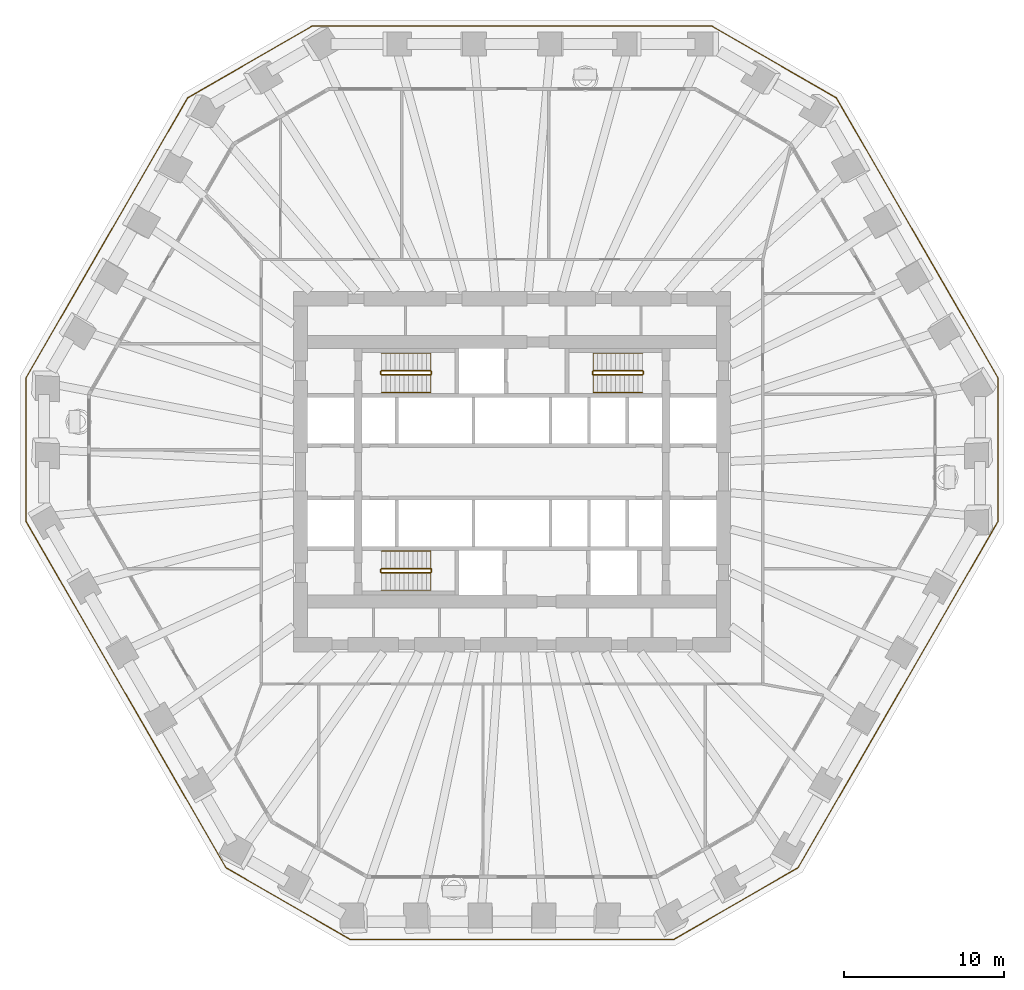
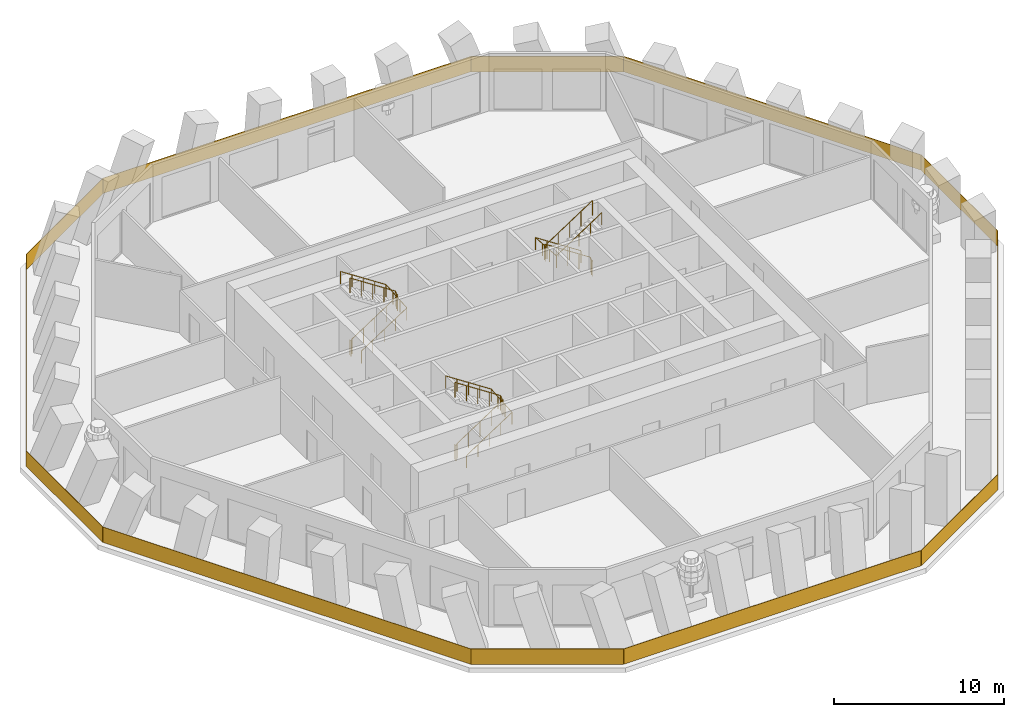
# One storey, part 9 of 11: 7 railings.
"""IFC4 building model written with IfcOpenShell, lengths in metres."""

from ifc_helpers import new_model, si_unit, direction, frame, origin, origin_2d, place, context, subcontext, project, spatial, rectangle, circle, extrude, material, type_object, element, save


model = new_model("IFC4")

# Units and contexts
model_context = context("Model", 3, precision=1e-05, world=origin(), true_north=direction((0.0, 1.0)))
body_context = subcontext(model_context, "Body", "Model", "MODEL_VIEW")
ifc_project = project(units=[si_unit("LENGTHUNIT", "METRE"), si_unit("AREAUNIT", "SQUARE_METRE"), si_unit("VOLUMEUNIT", "CUBIC_METRE"), si_unit("PLANEANGLEUNIT", "RADIAN"), si_unit("MASSUNIT", "GRAM", prefix="KILO")], contexts=[model_context])

# Site, building, storey
site_placement = place(None, origin())
site = spatial("IfcSite", under=ifc_project, at=site_placement, CompositionType="ELEMENT")
building_placement = place(site_placement, origin())
building = spatial("IfcBuilding", under=site, at=building_placement, Name="Frailejon Research Tower", CompositionType="ELEMENT")
storey_placement = place(building_placement, frame((0.0, 0.0, 67.39990234375)))
storey = spatial("IfcBuildingStorey", under=building, at=storey_placement, Name="L15", CompositionType="ELEMENT", Elevation=67.39990234375)

# Railings
ifc_material_1 = material(Name="Laminated glass balustrade", Category="glass")
railing_type_1 = type_object("IfcRailingType", Name="Glass guard 1100", PredefinedType="GUARDRAIL", material=ifc_material_1)
railing_1_placement = place(storey_placement, frame((30.331787109375, -3.10498046875, 0.0)))
element("IfcRailing", 1, at=railing_1_placement, inside=storey, type_object=railing_type_1, Name="Loggia guard L15", PredefinedType="GUARDRAIL", context=body_context, shape_type="SweptSolid", body=[
    extrude(rectangle(XDim=8.9755859375, YDim=0.030029296875, at=origin_2d()), frame((0.0, 4.48779296875, 0.0), z_axis=(0.0, 0.0, 1.0), x_axis=(0.0, 1.0, 0.0)), (0.0, 0.0, 1.0), 1.10009765625),
    extrude(rectangle(XDim=20.163818359375, YDim=0.030029296875, at=origin_2d()), frame((-5.041015625, 17.706787109375, 0.0), z_axis=(0.0, 0.0, 1.0), x_axis=(-0.499994956871, 0.866028315417, 0.0)), (0.0, 0.0, 1.0), 1.10009765625),
    extrude(rectangle(XDim=8.9755859375, YDim=0.030029296875, at=origin_2d()), frame((-13.96826171875, 28.681884765625, 0.0), z_axis=(0.0, 0.0, 1.0), x_axis=(-0.866028409771, 0.499994793442, 0.0)), (0.0, 0.0, 1.0), 1.10009765625),
    extrude(rectangle(XDim=24.95361328125, YDim=0.030029296875, at=origin_2d()), frame((-30.331787109375, 30.92578125, 0.0), z_axis=(0.0, 0.0, 1.0), x_axis=(-1.0, 0.0, 0.0)), (0.0, 0.0, 1.0), 1.10009765625),
    extrude(rectangle(XDim=8.9755859375, YDim=0.030029296875, at=origin_2d()), frame((-46.6953125, 28.681884765625, 0.0), z_axis=(0.0, 0.0, 1.0), x_axis=(-0.866028409771, -0.499994793442, 0.0)), (0.0, 0.0, 1.0), 1.10009765625),
    extrude(rectangle(XDim=20.163818359375, YDim=0.030029296875, at=origin_2d()), frame((-55.62255859375, 17.706787109375, 0.0), z_axis=(0.0, 0.0, 1.0), x_axis=(-0.499994956871, -0.866028315417, 0.0)), (0.0, 0.0, 1.0), 1.10009765625),
    extrude(rectangle(XDim=8.9755859375, YDim=0.030029296875, at=origin_2d()), frame((-60.66357421875, 4.48779296875, 0.0), z_axis=(0.0, 0.0, 1.0), x_axis=(0.0, -1.0, 0.0)), (0.0, 0.0, 1.0), 1.10009765625),
    extrude(rectangle(XDim=24.953857421875, YDim=0.030029296875, at=origin_2d()), frame((-54.42529296875, -10.805419921875, 0.0), z_axis=(0.0, 0.0, 1.0), x_axis=(0.499993461121, -0.866029178975, 0.0)), (0.0, 0.0, 1.0), 1.10009765625),
    extrude(rectangle(XDim=8.9755859375, YDim=0.030029296875, at=origin_2d()), frame((-44.30029296875, -23.854736328125, 0.0), z_axis=(0.0, 0.0, 1.0), x_axis=(0.866028409771, -0.499994793442, 0.0)), (0.0, 0.0, 1.0), 1.10009765625),
    extrude(rectangle(XDim=20.16357421875, YDim=0.030029296875, at=origin_2d()), frame((-30.331787109375, -26.0986328125, 0.0), z_axis=(0.0, 0.0, 1.0), x_axis=(1.0, 0.0, 0.0)), (0.0, 0.0, 1.0), 1.10009765625),
    extrude(rectangle(XDim=8.9755859375, YDim=0.030029296875, at=origin_2d()), frame((-16.36328125, -23.854736328125, 0.0), z_axis=(0.0, 0.0, 1.0), x_axis=(0.866028409771, 0.499994793442, 0.0)), (0.0, 0.0, 1.0), 1.10009765625),
    extrude(rectangle(XDim=24.8837890625, YDim=0.030029296875, at=origin_2d()), frame((-6.255859375, -10.8359375, 0.0), z_axis=(0.0, 0.0, 1.0), x_axis=(0.499999036702, 0.866025959944, 0.0)), (0.0, 0.0, 1.0), 1.10009765625),
])
ifc_material_2 = material(Name="Stainless steel", Category="steel")
railing_type_2 = type_object("IfcRailingType", Name="Stair guard 1100", PredefinedType="GUARDRAIL", material=ifc_material_2)
railing_2_placement = place(storey_placement, frame((-8.199951171875, 6.25, 0.0)))
element("IfcRailing", 2, at=railing_2_placement, inside=storey, type_object=railing_type_2, Name="L15 ST1 stair guard 1", PredefinedType="GUARDRAIL", context=body_context, shape_type="SweptSolid", body=[
    extrude(circle(Radius=0.02392578125, at=origin_2d()), frame((0.0, 0.0, 1.076171875), z_axis=(0.0, -1.0, 0.0), x_axis=(1.0, 0.0, 0.0)), (0.0, 0.0, 1.0), 0.14990234375),
    extrude(circle(Radius=0.02392578125, at=origin_2d()), frame((0.0, -0.14990234375, 1.076171875), z_axis=(0.254653276557, -0.254653276557, 0.932900539971), x_axis=(0.707106781187, 0.707106781187, 0.0)), (0.0, 0.0, 1.0), 0.196533203125),
    extrude(circle(Radius=0.02392578125, at=origin_2d()), frame((0.050048828125, -0.199951171875, 1.25927734375), z_axis=(0.836582707638, 0.0, 0.547840645882), x_axis=(0.0, 1.0, 0.0)), (0.0, 0.0, 1.0), 3.681396484375),
    extrude(circle(Radius=0.02392578125, at=origin_2d()), frame((3.1298828125, -0.199951171875, 3.2763671875), z_axis=(0.707106781187, 0.707106781187, 0.0), x_axis=(-0.707106781187, 0.707106781187, 0.0)), (0.0, 0.0, 1.0), 0.07080078125),
    extrude(circle(Radius=0.02392578125, at=origin_2d()), frame((3.179931640625, -0.14990234375, 3.2763671875), z_axis=(0.0, 1.0, 0.0), x_axis=(-1.0, 0.0, 0.0)), (0.0, 0.0, 1.0), 0.14990234375),
    extrude(circle(Radius=0.02392578125, at=origin_2d()), frame((3.179931640625, 0.0, 3.2763671875), z_axis=(-0.254653276557, 0.254653276557, 0.932900539971), x_axis=(-0.707106781187, -0.707106781187, 0.0)), (0.0, 0.0, 1.0), 0.196533203125),
    extrude(circle(Radius=0.02392578125, at=origin_2d()), frame((3.1298828125, 0.050048828125, 3.45947265625), z_axis=(-0.836613101238, 0.0, 0.547794230379), x_axis=(0.0, -1.0, 0.0)), (0.0, 0.0, 1.0), 3.681396484375),
    extrude(circle(Radius=0.02099609375, at=origin_2d()), origin(), (0.0, 0.0, 1.0), 1.052001953125),
    extrude(circle(Radius=0.02099609375, at=origin_2d()), frame((0.0, -0.14990234375, 0.0)), (0.0, 0.0, 1.0), 1.052001953125),
    extrude(circle(Radius=0.02099609375, at=origin_2d()), frame((0.050048828125, -0.199951171875, 0.183349609375)), (0.0, 0.0, 1.0), 1.052001953125),
    extrude(circle(Radius=0.02099609375, at=origin_2d()), frame((0.820068359375, -0.199951171875, 0.6875)), (0.0, 0.0, 1.0), 1.052001953125),
    extrude(circle(Radius=0.02099609375, at=origin_2d()), frame((1.58984375, -0.199951171875, 1.19189453125)), (0.0, 0.0, 1.0), 1.052001953125),
    extrude(circle(Radius=0.02099609375, at=origin_2d()), frame((2.35986328125, -0.199951171875, 1.696044921875)), (0.0, 0.0, 1.0), 1.052001953125),
    extrude(circle(Radius=0.02099609375, at=origin_2d()), frame((3.1298828125, -0.199951171875, 2.2001953125)), (0.0, 0.0, 1.0), 1.052001953125),
    extrude(circle(Radius=0.02099609375, at=origin_2d()), frame((3.179931640625, -0.14990234375, 2.2001953125)), (0.0, 0.0, 1.0), 1.052001953125),
    extrude(circle(Radius=0.02099609375, at=origin_2d()), frame((3.179931640625, 0.0, 2.2001953125)), (0.0, 0.0, 1.0), 1.052001953125),
    extrude(circle(Radius=0.02099609375, at=origin_2d()), frame((3.1298828125, 0.050048828125, 2.383544921875)), (0.0, 0.0, 1.0), 1.052001953125),
    extrude(circle(Radius=0.02099609375, at=origin_2d()), frame((2.35986328125, 0.050048828125, 2.8876953125)), (0.0, 0.0, 1.0), 1.052001953125),
    extrude(circle(Radius=0.02099609375, at=origin_2d()), frame((1.58984375, 0.050048828125, 3.391845703125)), (0.0, 0.0, 1.0), 1.052001953125),
    extrude(circle(Radius=0.02099609375, at=origin_2d()), frame((0.820068359375, 0.050048828125, 3.89599609375)), (0.0, 0.0, 1.0), 1.052001953125),
    extrude(circle(Radius=0.02099609375, at=origin_2d()), frame((0.050048828125, 0.050048828125, 4.400146484375)), (0.0, 0.0, 1.0), 1.052001953125),
])
railing_3_placement = place(storey_placement, frame((-8.199951171875, -6.10009765625, 0.0)))
element("IfcRailing", 3, at=railing_3_placement, inside=storey, type_object=railing_type_2, Name="L15 ST2 stair guard 1", PredefinedType="GUARDRAIL", context=body_context, shape_type="SweptSolid", body=[
    extrude(circle(Radius=0.02392578125, at=origin_2d()), frame((0.0, 0.0, 1.076171875), z_axis=(0.0, -1.0, 0.0), x_axis=(1.0, 0.0, 0.0)), (0.0, 0.0, 1.0), 0.14990234375),
    extrude(circle(Radius=0.02392578125, at=origin_2d()), frame((0.0, -0.14990234375, 1.076171875), z_axis=(0.254653276557, -0.254653276557, 0.932900539971), x_axis=(0.707106781187, 0.707106781187, 0.0)), (0.0, 0.0, 1.0), 0.196533203125),
    extrude(circle(Radius=0.02392578125, at=origin_2d()), frame((0.050048828125, -0.199951171875, 1.25927734375), z_axis=(0.836582707638, 0.0, 0.547840645882), x_axis=(0.0, 1.0, 0.0)), (0.0, 0.0, 1.0), 3.681396484375),
    extrude(circle(Radius=0.02392578125, at=origin_2d()), frame((3.1298828125, -0.199951171875, 3.2763671875), z_axis=(0.707106781187, 0.707106781187, 0.0), x_axis=(-0.707106781187, 0.707106781187, 0.0)), (0.0, 0.0, 1.0), 0.07080078125),
    extrude(circle(Radius=0.02392578125, at=origin_2d()), frame((3.179931640625, -0.14990234375, 3.2763671875), z_axis=(0.0, 1.0, 0.0), x_axis=(-1.0, 0.0, 0.0)), (0.0, 0.0, 1.0), 0.14990234375),
    extrude(circle(Radius=0.02392578125, at=origin_2d()), frame((3.179931640625, 0.0, 3.2763671875), z_axis=(-0.254653276557, 0.254653276557, 0.932900539971), x_axis=(-0.707106781187, -0.707106781187, 0.0)), (0.0, 0.0, 1.0), 0.196533203125),
    extrude(circle(Radius=0.02392578125, at=origin_2d()), frame((3.1298828125, 0.050048828125, 3.45947265625), z_axis=(-0.836613101238, 0.0, 0.547794230379), x_axis=(0.0, -1.0, 0.0)), (0.0, 0.0, 1.0), 3.681396484375),
    extrude(circle(Radius=0.02099609375, at=origin_2d()), origin(), (0.0, 0.0, 1.0), 1.052001953125),
    extrude(circle(Radius=0.02099609375, at=origin_2d()), frame((0.0, -0.14990234375, 0.0)), (0.0, 0.0, 1.0), 1.052001953125),
    extrude(circle(Radius=0.02099609375, at=origin_2d()), frame((0.050048828125, -0.199951171875, 0.183349609375)), (0.0, 0.0, 1.0), 1.052001953125),
    extrude(circle(Radius=0.02099609375, at=origin_2d()), frame((0.820068359375, -0.199951171875, 0.6875)), (0.0, 0.0, 1.0), 1.052001953125),
    extrude(circle(Radius=0.02099609375, at=origin_2d()), frame((1.58984375, -0.199951171875, 1.19189453125)), (0.0, 0.0, 1.0), 1.052001953125),
    extrude(circle(Radius=0.02099609375, at=origin_2d()), frame((2.35986328125, -0.199951171875, 1.696044921875)), (0.0, 0.0, 1.0), 1.052001953125),
    extrude(circle(Radius=0.02099609375, at=origin_2d()), frame((3.1298828125, -0.199951171875, 2.2001953125)), (0.0, 0.0, 1.0), 1.052001953125),
    extrude(circle(Radius=0.02099609375, at=origin_2d()), frame((3.179931640625, -0.14990234375, 2.2001953125)), (0.0, 0.0, 1.0), 1.052001953125),
    extrude(circle(Radius=0.02099609375, at=origin_2d()), frame((3.179931640625, 0.0, 2.2001953125)), (0.0, 0.0, 1.0), 1.052001953125),
    extrude(circle(Radius=0.02099609375, at=origin_2d()), frame((3.1298828125, 0.050048828125, 2.383544921875)), (0.0, 0.0, 1.0), 1.052001953125),
    extrude(circle(Radius=0.02099609375, at=origin_2d()), frame((2.35986328125, 0.050048828125, 2.8876953125)), (0.0, 0.0, 1.0), 1.052001953125),
    extrude(circle(Radius=0.02099609375, at=origin_2d()), frame((1.58984375, 0.050048828125, 3.391845703125)), (0.0, 0.0, 1.0), 1.052001953125),
    extrude(circle(Radius=0.02099609375, at=origin_2d()), frame((0.820068359375, 0.050048828125, 3.89599609375)), (0.0, 0.0, 1.0), 1.052001953125),
    extrude(circle(Radius=0.02099609375, at=origin_2d()), frame((0.050048828125, 0.050048828125, 4.400146484375)), (0.0, 0.0, 1.0), 1.052001953125),
])
railing_4_placement = place(storey_placement, frame((8.199951171875, 6.10009765625, 0.0)))
element("IfcRailing", 4, at=railing_4_placement, inside=storey, type_object=railing_type_2, Name="L15 ST3 stair guard 1", PredefinedType="GUARDRAIL", context=body_context, shape_type="SweptSolid", body=[
    extrude(circle(Radius=0.02392578125, at=origin_2d()), frame((0.0, 0.0, 1.076171875), z_axis=(0.0, 1.0, 0.0), x_axis=(-1.0, 0.0, 0.0)), (0.0, 0.0, 1.0), 0.14990234375),
    extrude(circle(Radius=0.02392578125, at=origin_2d()), frame((0.0, 0.14990234375, 1.076171875), z_axis=(-0.254653276557, 0.254653276557, 0.932900539971), x_axis=(-0.707106781187, -0.707106781187, 0.0)), (0.0, 0.0, 1.0), 0.196533203125),
    extrude(circle(Radius=0.02392578125, at=origin_2d()), frame((-0.050048828125, 0.199951171875, 1.25927734375), z_axis=(-0.836582707638, 0.0, 0.547840645882), x_axis=(0.0, -1.0, 0.0)), (0.0, 0.0, 1.0), 3.681396484375),
    extrude(circle(Radius=0.02392578125, at=origin_2d()), frame((-3.1298828125, 0.199951171875, 3.2763671875), z_axis=(-0.707106781187, -0.707106781187, 0.0), x_axis=(0.707106781187, -0.707106781187, 0.0)), (0.0, 0.0, 1.0), 0.07080078125),
    extrude(circle(Radius=0.02392578125, at=origin_2d()), frame((-3.179931640625, 0.14990234375, 3.2763671875), z_axis=(0.0, -1.0, 0.0), x_axis=(1.0, 0.0, 0.0)), (0.0, 0.0, 1.0), 0.14990234375),
    extrude(circle(Radius=0.02392578125, at=origin_2d()), frame((-3.179931640625, 0.0, 3.2763671875), z_axis=(0.254653276557, -0.254653276557, 0.932900539971), x_axis=(0.707106781187, 0.707106781187, 0.0)), (0.0, 0.0, 1.0), 0.196533203125),
    extrude(circle(Radius=0.02392578125, at=origin_2d()), frame((-3.1298828125, -0.050048828125, 3.45947265625), z_axis=(0.836613101238, 0.0, 0.547794230379), x_axis=(0.0, 1.0, 0.0)), (0.0, 0.0, 1.0), 3.681396484375),
    extrude(circle(Radius=0.02099609375, at=origin_2d()), origin(), (0.0, 0.0, 1.0), 1.052001953125),
    extrude(circle(Radius=0.02099609375, at=origin_2d()), frame((0.0, 0.14990234375, 0.0)), (0.0, 0.0, 1.0), 1.052001953125),
    extrude(circle(Radius=0.02099609375, at=origin_2d()), frame((-0.050048828125, 0.199951171875, 0.183349609375)), (0.0, 0.0, 1.0), 1.052001953125),
    extrude(circle(Radius=0.02099609375, at=origin_2d()), frame((-0.820068359375, 0.199951171875, 0.6875)), (0.0, 0.0, 1.0), 1.052001953125),
    extrude(circle(Radius=0.02099609375, at=origin_2d()), frame((-1.58984375, 0.199951171875, 1.19189453125)), (0.0, 0.0, 1.0), 1.052001953125),
    extrude(circle(Radius=0.02099609375, at=origin_2d()), frame((-2.35986328125, 0.199951171875, 1.696044921875)), (0.0, 0.0, 1.0), 1.052001953125),
    extrude(circle(Radius=0.02099609375, at=origin_2d()), frame((-3.1298828125, 0.199951171875, 2.2001953125)), (0.0, 0.0, 1.0), 1.052001953125),
    extrude(circle(Radius=0.02099609375, at=origin_2d()), frame((-3.179931640625, 0.14990234375, 2.2001953125)), (0.0, 0.0, 1.0), 1.052001953125),
    extrude(circle(Radius=0.02099609375, at=origin_2d()), frame((-3.179931640625, 0.0, 2.2001953125)), (0.0, 0.0, 1.0), 1.052001953125),
    extrude(circle(Radius=0.02099609375, at=origin_2d()), frame((-3.1298828125, -0.050048828125, 2.383544921875)), (0.0, 0.0, 1.0), 1.052001953125),
    extrude(circle(Radius=0.02099609375, at=origin_2d()), frame((-2.35986328125, -0.050048828125, 2.8876953125)), (0.0, 0.0, 1.0), 1.052001953125),
    extrude(circle(Radius=0.02099609375, at=origin_2d()), frame((-1.58984375, -0.050048828125, 3.391845703125)), (0.0, 0.0, 1.0), 1.052001953125),
    extrude(circle(Radius=0.02099609375, at=origin_2d()), frame((-0.820068359375, -0.050048828125, 3.89599609375)), (0.0, 0.0, 1.0), 1.052001953125),
    extrude(circle(Radius=0.02099609375, at=origin_2d()), frame((-0.050048828125, -0.050048828125, 4.400146484375)), (0.0, 0.0, 1.0), 1.052001953125),
])
ifc_material_3 = material(Name="Stainless steel", Category="steel")
railing_type_3 = type_object("IfcRailingType", Name="Stair handrail 900", PredefinedType="HANDRAIL", material=ifc_material_3)
railing_5_placement = place(storey_placement, frame((-8.14990234375, 4.949951171875, 0.183349609375)))
element("IfcRailing", 5, at=railing_5_placement, inside=storey, type_object=railing_type_3, Name="L15 ST1 stair handrail 1", PredefinedType="HANDRAIL", context=body_context, shape_type="SweptSolid", body=[
    extrude(circle(Radius=0.02392578125, at=origin_2d()), frame((0.0, 0.0, 0.8759765625), z_axis=(0.836582707638, 0.0, 0.547840645882), x_axis=(0.0, 1.0, 0.0)), (0.0, 0.0, 1.0), 3.681396484375),
    extrude(circle(Radius=0.02392578125, at=origin_2d()), frame((3.079833984375, 0.0, 2.892578125), z_axis=(0.0, 0.99721134034, 0.074629368868), x_axis=(-1.0, 0.0, 0.0)), (0.0, 0.0, 1.0), 2.456787109375),
    extrude(circle(Radius=0.02392578125, at=origin_2d()), frame((3.079833984375, 2.449951171875, 3.076171875), z_axis=(-0.836613101238, 0.0, 0.547794230379), x_axis=(0.0, -1.0, 0.0)), (0.0, 0.0, 1.0), 3.681396484375),
    extrude(circle(Radius=0.02099609375, at=origin_2d()), origin(), (0.0, 0.0, 1.0), 0.851806640625),
    extrude(circle(Radius=0.02099609375, at=origin_2d()), frame((0.77001953125, 0.0, 0.504150390625)), (0.0, 0.0, 1.0), 0.851806640625),
    extrude(circle(Radius=0.02099609375, at=origin_2d()), frame((1.5400390625, 0.0, 1.00830078125)), (0.0, 0.0, 1.0), 0.851806640625),
    extrude(circle(Radius=0.02099609375, at=origin_2d()), frame((2.309814453125, 0.0, 1.5126953125)), (0.0, 0.0, 1.0), 0.851806640625),
    extrude(circle(Radius=0.02099609375, at=origin_2d()), frame((3.079833984375, 0.0, 2.016845703125)), (0.0, 0.0, 1.0), 0.851806640625),
    extrude(circle(Radius=0.02099609375, at=origin_2d()), frame((3.079833984375, 0.816650390625, 2.077880859375)), (0.0, 0.0, 1.0), 0.851806640625),
    extrude(circle(Radius=0.02099609375, at=origin_2d()), frame((3.079833984375, 1.63330078125, 2.13916015625)), (0.0, 0.0, 1.0), 0.851806640625),
    extrude(circle(Radius=0.02099609375, at=origin_2d()), frame((3.079833984375, 2.449951171875, 2.2001953125)), (0.0, 0.0, 1.0), 0.851806640625),
    extrude(circle(Radius=0.02099609375, at=origin_2d()), frame((2.309814453125, 2.449951171875, 2.704345703125)), (0.0, 0.0, 1.0), 0.851806640625),
    extrude(circle(Radius=0.02099609375, at=origin_2d()), frame((1.5400390625, 2.449951171875, 3.20849609375)), (0.0, 0.0, 1.0), 0.851806640625),
    extrude(circle(Radius=0.02099609375, at=origin_2d()), frame((0.77001953125, 2.449951171875, 3.712646484375)), (0.0, 0.0, 1.0), 0.851806640625),
    extrude(circle(Radius=0.02099609375, at=origin_2d()), frame((0.0, 2.449951171875, 4.216796875)), (0.0, 0.0, 1.0), 0.851806640625),
])
railing_6_placement = place(storey_placement, frame((-8.14990234375, -7.39990234375, 0.183349609375)))
element("IfcRailing", 6, at=railing_6_placement, inside=storey, type_object=railing_type_3, Name="L15 ST2 stair handrail 1", PredefinedType="HANDRAIL", context=body_context, shape_type="SweptSolid", body=[
    extrude(circle(Radius=0.02392578125, at=origin_2d()), frame((0.0, 0.0, 0.8759765625), z_axis=(0.836582707638, 0.0, 0.547840645882), x_axis=(0.0, 1.0, 0.0)), (0.0, 0.0, 1.0), 3.681396484375),
    extrude(circle(Radius=0.02392578125, at=origin_2d()), frame((3.079833984375, 0.0, 2.892578125), z_axis=(0.0, 0.99721134034, 0.074629368868), x_axis=(-1.0, 0.0, 0.0)), (0.0, 0.0, 1.0), 2.456787109375),
    extrude(circle(Radius=0.02392578125, at=origin_2d()), frame((3.079833984375, 2.449951171875, 3.076171875), z_axis=(-0.836613101238, 0.0, 0.547794230379), x_axis=(0.0, -1.0, 0.0)), (0.0, 0.0, 1.0), 3.681396484375),
    extrude(circle(Radius=0.02099609375, at=origin_2d()), origin(), (0.0, 0.0, 1.0), 0.851806640625),
    extrude(circle(Radius=0.02099609375, at=origin_2d()), frame((0.77001953125, 0.0, 0.504150390625)), (0.0, 0.0, 1.0), 0.851806640625),
    extrude(circle(Radius=0.02099609375, at=origin_2d()), frame((1.5400390625, 0.0, 1.00830078125)), (0.0, 0.0, 1.0), 0.851806640625),
    extrude(circle(Radius=0.02099609375, at=origin_2d()), frame((2.309814453125, 0.0, 1.5126953125)), (0.0, 0.0, 1.0), 0.851806640625),
    extrude(circle(Radius=0.02099609375, at=origin_2d()), frame((3.079833984375, 0.0, 2.016845703125)), (0.0, 0.0, 1.0), 0.851806640625),
    extrude(circle(Radius=0.02099609375, at=origin_2d()), frame((3.079833984375, 0.816650390625, 2.077880859375)), (0.0, 0.0, 1.0), 0.851806640625),
    extrude(circle(Radius=0.02099609375, at=origin_2d()), frame((3.079833984375, 1.63330078125, 2.13916015625)), (0.0, 0.0, 1.0), 0.851806640625),
    extrude(circle(Radius=0.02099609375, at=origin_2d()), frame((3.079833984375, 2.449951171875, 2.2001953125)), (0.0, 0.0, 1.0), 0.851806640625),
    extrude(circle(Radius=0.02099609375, at=origin_2d()), frame((2.309814453125, 2.449951171875, 2.704345703125)), (0.0, 0.0, 1.0), 0.851806640625),
    extrude(circle(Radius=0.02099609375, at=origin_2d()), frame((1.5400390625, 2.449951171875, 3.20849609375)), (0.0, 0.0, 1.0), 0.851806640625),
    extrude(circle(Radius=0.02099609375, at=origin_2d()), frame((0.77001953125, 2.449951171875, 3.712646484375)), (0.0, 0.0, 1.0), 0.851806640625),
    extrude(circle(Radius=0.02099609375, at=origin_2d()), frame((0.0, 2.449951171875, 4.216796875)), (0.0, 0.0, 1.0), 0.851806640625),
])
railing_7_placement = place(storey_placement, frame((8.14990234375, 7.39990234375, 0.183349609375)))
element("IfcRailing", 7, at=railing_7_placement, inside=storey, type_object=railing_type_3, Name="L15 ST3 stair handrail 1", PredefinedType="HANDRAIL", context=body_context, shape_type="SweptSolid", body=[
    extrude(circle(Radius=0.02392578125, at=origin_2d()), frame((0.0, 0.0, 0.8759765625), z_axis=(-0.836582707638, 0.0, 0.547840645882), x_axis=(0.0, -1.0, 0.0)), (0.0, 0.0, 1.0), 3.681396484375),
    extrude(circle(Radius=0.02392578125, at=origin_2d()), frame((-3.079833984375, 0.0, 2.892578125), z_axis=(0.0, -0.99721134034, 0.074629368868), x_axis=(1.0, 0.0, 0.0)), (0.0, 0.0, 1.0), 2.456787109375),
    extrude(circle(Radius=0.02392578125, at=origin_2d()), frame((-3.079833984375, -2.449951171875, 3.076171875), z_axis=(0.836613101238, 0.0, 0.547794230379), x_axis=(0.0, 1.0, 0.0)), (0.0, 0.0, 1.0), 3.681396484375),
    extrude(circle(Radius=0.02099609375, at=origin_2d()), origin(), (0.0, 0.0, 1.0), 0.851806640625),
    extrude(circle(Radius=0.02099609375, at=origin_2d()), frame((-0.77001953125, 0.0, 0.504150390625)), (0.0, 0.0, 1.0), 0.851806640625),
    extrude(circle(Radius=0.02099609375, at=origin_2d()), frame((-1.5400390625, 0.0, 1.00830078125)), (0.0, 0.0, 1.0), 0.851806640625),
    extrude(circle(Radius=0.02099609375, at=origin_2d()), frame((-2.309814453125, 0.0, 1.5126953125)), (0.0, 0.0, 1.0), 0.851806640625),
    extrude(circle(Radius=0.02099609375, at=origin_2d()), frame((-3.079833984375, 0.0, 2.016845703125)), (0.0, 0.0, 1.0), 0.851806640625),
    extrude(circle(Radius=0.02099609375, at=origin_2d()), frame((-3.079833984375, -0.816650390625, 2.077880859375)), (0.0, 0.0, 1.0), 0.851806640625),
    extrude(circle(Radius=0.02099609375, at=origin_2d()), frame((-3.079833984375, -1.63330078125, 2.13916015625)), (0.0, 0.0, 1.0), 0.851806640625),
    extrude(circle(Radius=0.02099609375, at=origin_2d()), frame((-3.079833984375, -2.449951171875, 2.2001953125)), (0.0, 0.0, 1.0), 0.851806640625),
    extrude(circle(Radius=0.02099609375, at=origin_2d()), frame((-2.309814453125, -2.449951171875, 2.704345703125)), (0.0, 0.0, 1.0), 0.851806640625),
    extrude(circle(Radius=0.02099609375, at=origin_2d()), frame((-1.5400390625, -2.449951171875, 3.20849609375)), (0.0, 0.0, 1.0), 0.851806640625),
    extrude(circle(Radius=0.02099609375, at=origin_2d()), frame((-0.77001953125, -2.449951171875, 3.712646484375)), (0.0, 0.0, 1.0), 0.851806640625),
    extrude(circle(Radius=0.02099609375, at=origin_2d()), frame((0.0, -2.449951171875, 4.216796875)), (0.0, 0.0, 1.0), 0.851806640625),
])

save(model, "model.ifc")
